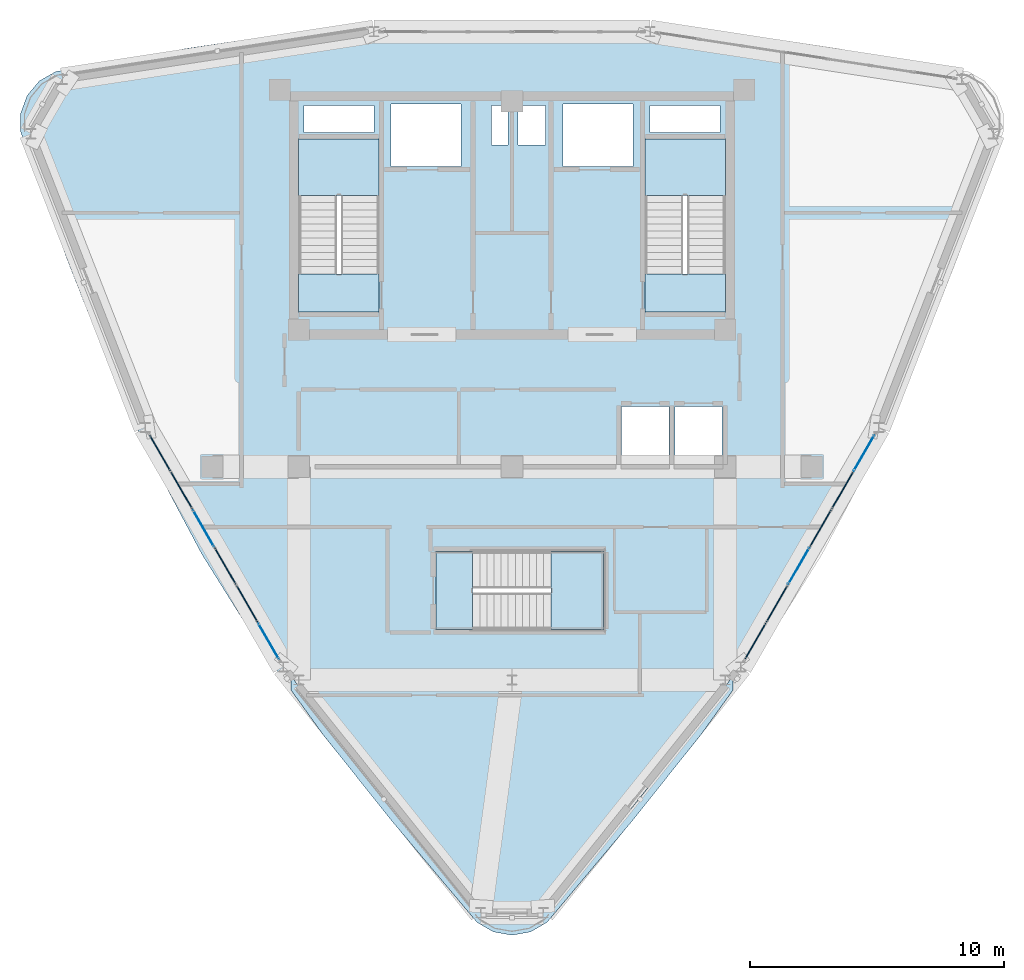
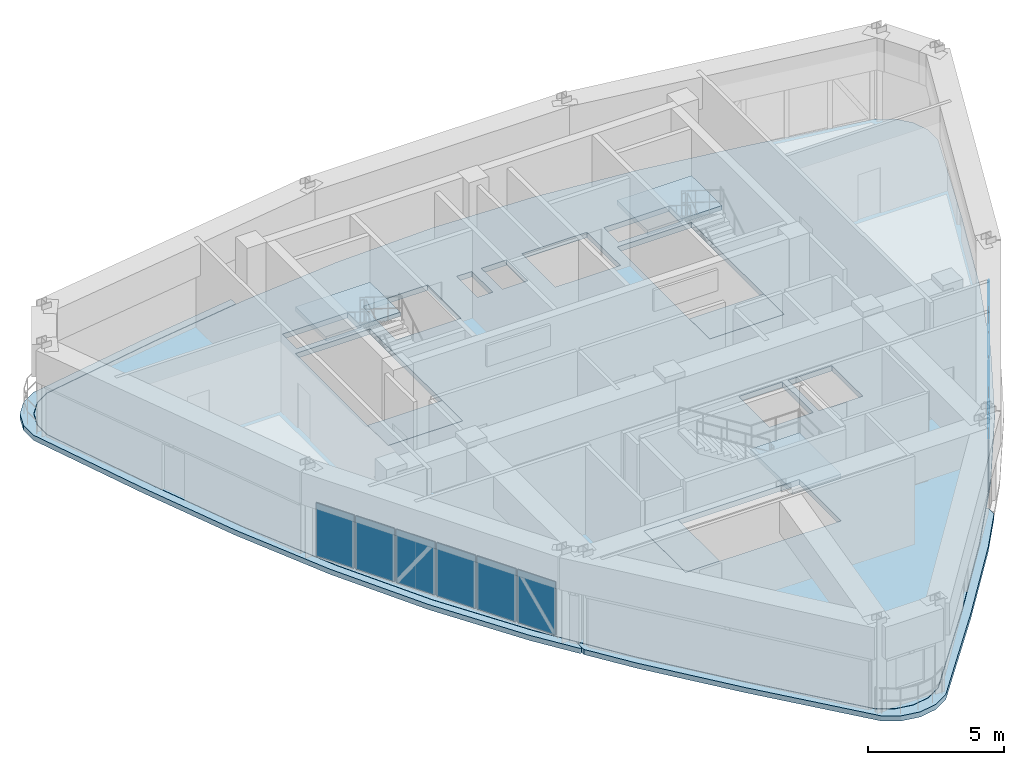
# One storey, part 11 of 16: 12 plates, 9 slabs, 5 elements without a shape of their own.
"""IFC4 building model written with IfcOpenShell, lengths in metres."""

from ifc_helpers import new_model, si_unit, derived_unit, direction, frame, origin, origin_2d, place, context, subcontext, project, spatial, polyline, rectangle, outline, extrude, source, transform, mapped, material, layer, layer_set, type_object, element, aggregate, save


model = new_model("IFC4")

# Units and contexts
model_context = context("Model", 3, precision=1e-05, world=origin(), true_north=direction((0.0, 1.0)))
body_context = subcontext(model_context, "Body", "Model", "MODEL_VIEW")
ifc_project = project(units=[si_unit("LENGTHUNIT", "METRE"), si_unit("AREAUNIT", "SQUARE_METRE"), si_unit("VOLUMEUNIT", "CUBIC_METRE"), si_unit("PLANEANGLEUNIT", "RADIAN"), si_unit("MASSUNIT", "GRAM", prefix="KILO"), derived_unit("THERMALTRANSMITTANCEUNIT", [(si_unit("POWERUNIT", "WATT"), 1), (si_unit("LENGTHUNIT", "METRE"), -2), (si_unit("THERMODYNAMICTEMPERATUREUNIT", "KELVIN"), -1)])], contexts=[model_context])

# Site, building, storey
site_placement = place(None, origin())
site = spatial("IfcSite", under=ifc_project, at=site_placement, CompositionType="ELEMENT")
building_placement = place(site_placement, origin())
building = spatial("IfcBuilding", under=site, at=building_placement, Name="Korsvarv Bourse and Concert Hall", CompositionType="ELEMENT")
storey_placement = place(building_placement, frame((0.0, 0.0, 283.800048828125)))
storey = spatial("IfcBuildingStorey", under=building, at=storey_placement, Name="L74", CompositionType="ELEMENT", Elevation=283.800048828125)

# Slabs
ifc_material_1 = material(Name="Precast concrete C45/55", Category="concrete")
ifc_layer_1 = layer(ifc_material_1, 0.199951171875)
ifc_layer_set_1 = layer_set([ifc_layer_1], Name="Precast concrete C45/55")
slab_type_1 = type_object("IfcSlabType", Name="SLB-FLND-T", PredefinedType="LANDING", material=ifc_layer_set_1)
slab_1_placement = place(storey_placement, frame((0.0, 0.0, -0.199951171875)))
element("IfcSlab", 1, at=slab_1_placement, inside=storey, type_object=slab_type_1, Name="L74 Stair ST-T1 Floor Landing Slab", PredefinedType="LANDING", context=body_context, shape_type="SweptSolid", body=[
    extrude(outline(polyline([(30.760009765625, 38.5), (30.760009765625, 40.0), (27.60009765625, 40.0), (27.60009765625, 38.5), (30.760009765625, 38.5)])), origin(), (0.0, 0.0, 1.0), 0.199951171875),
])
slab_2_placement = place(storey_placement, frame((0.0, 0.0, -0.199951171875)))
element("IfcSlab", 2, at=slab_2_placement, inside=storey, type_object=slab_type_1, Name="L74 Stair ST-T2 Floor Landing Slab", PredefinedType="LANDING", context=body_context, shape_type="SweptSolid", body=[
    extrude(outline(polyline([(44.39990234375, 38.5), (44.39990234375, 40.0), (41.239990234375, 40.0), (41.239990234375, 38.5), (44.39990234375, 38.5)])), origin(), (0.0, 0.0, 1.0), 0.199951171875),
])
slab_3_placement = place(storey_placement, frame((0.0, 0.0, -0.199951171875)))
element("IfcSlab", 3, at=slab_3_placement, inside=storey, type_object=slab_type_1, Name="L74 Stair ST-LK1 Floor Landing Slab", PredefinedType="LANDING", context=body_context, shape_type="SweptSolid", body=[
    extrude(outline(polyline([(33.0, 26.0), (34.449951171875, 26.0), (34.449951171875, 29.06005859375), (33.0, 29.06005859375), (33.0, 26.0)])), origin(), (0.0, 0.0, 1.0), 0.199951171875),
])
ifc_material_2 = material(Name="Concrete C45/55", Category="concrete")
ifc_layer_2 = layer(ifc_material_2, 0.239990234375)
ifc_layer_set_2 = layer_set([ifc_layer_2], Name="Concrete C45/55")
slab_type_2 = type_object("IfcSlabType", Name="SLB-LKT", PredefinedType="FLOOR", material=ifc_layer_set_2)
slab_4_placement = place(storey_placement, frame((0.0, 0.0, -0.239990234375)))
element("IfcSlab", 4, at=slab_4_placement, inside=storey, type_object=slab_type_2, Name="L74 tower structural floor slab", PredefinedType="FLOOR", context=body_context, shape_type="SweptSolid", body=[
    extrude(outline(polyline([(54.593505859375, 44.549560546875), (53.136962890625, 40.538330078125), (51.590087890625, 36.603759765625), (49.869873046875, 32.7890625), (47.919677734375, 29.1181640625), (45.7158203125, 25.59375), (43.272216796875, 22.19677734375), (40.63818359375, 18.889892578125), (37.89208984375, 15.622314453125), (37.330322265625, 14.952880859375), (36.7080078125, 14.593505859375), (36.0, 14.468505859375), (35.2919921875, 14.593505859375), (34.669677734375, 14.952880859375), (34.107421875, 15.622802734375), (31.36181640625, 18.889892578125), (28.727783203125, 22.19677734375), (26.2841796875, 25.59375), (24.080322265625, 29.1181640625), (22.130126953125, 32.7890625), (20.409912109375, 36.603759765625), (18.863037109375, 40.538330078125), (17.40625, 44.55029296875), (17.107421875, 45.37158203125), (17.107421875, 46.09033203125), (17.353271484375, 46.765625), (17.815185546875, 47.31640625), (18.437744140625, 47.67578125), (19.299072265625, 47.82763671875), (23.501220703125, 48.57177734375), (27.68212890625, 49.199462890625), (31.845947265625, 49.6171875), (36.0, 49.763671875), (40.154052734375, 49.6171875), (44.31787109375, 49.199462890625), (48.498779296875, 48.57177734375), (52.70166015625, 47.827392578125), (53.562255859375, 47.67578125), (54.184814453125, 47.31640625), (54.646728515625, 46.765625), (54.892578125, 46.09033203125), (54.892578125, 45.37158203125), (54.593505859375, 44.549560546875)]), holes=[polyline([(30.760009765625, 38.5), (30.760009765625, 45.300048828125), (27.60009765625, 45.300048828125), (27.60009765625, 38.5), (30.760009765625, 38.5)]), polyline([(44.39990234375, 38.5), (44.39990234375, 45.300048828125), (41.239990234375, 45.300048828125), (41.239990234375, 38.5), (44.39990234375, 38.5)]), polyline([(33.0, 26.0), (39.60009765625, 26.0), (39.60009765625, 29.06005859375), (33.0, 29.06005859375), (33.0, 26.0)]), polyline([(31.239990234375, 44.219970703125), (34.0, 44.219970703125), (34.0, 46.679931640625), (31.239990234375, 46.679931640625), (31.239990234375, 44.219970703125)]), polyline([(38.0, 44.219970703125), (40.760009765625, 44.219970703125), (40.760009765625, 46.679931640625), (38.0, 46.679931640625), (38.0, 44.219970703125)]), polyline([(40.320068359375, 32.52001953125), (42.179931640625, 32.52001953125), (42.179931640625, 34.780029296875), (40.320068359375, 34.780029296875), (40.320068359375, 32.52001953125)]), polyline([(42.419921875, 32.52001953125), (44.280029296875, 32.52001953125), (44.280029296875, 34.780029296875), (42.419921875, 34.780029296875), (42.419921875, 32.52001953125)]), polyline([(27.800048828125, 45.56005859375), (30.56005859375, 45.56005859375), (30.56005859375, 46.6201171875), (27.800048828125, 46.6201171875), (27.800048828125, 45.56005859375)]), polyline([(41.43994140625, 45.56005859375), (44.199951171875, 45.56005859375), (44.199951171875, 46.6201171875), (41.43994140625, 46.6201171875), (41.43994140625, 45.56005859375)]), polyline([(35.199951171875, 45.080078125), (35.840087890625, 45.080078125), (35.840087890625, 46.6201171875), (35.199951171875, 46.6201171875), (35.199951171875, 45.080078125)]), polyline([(36.239990234375, 45.080078125), (37.320068359375, 45.080078125), (37.320068359375, 46.6201171875), (36.239990234375, 46.6201171875), (36.239990234375, 45.080078125)])]), origin(), (0.0, 0.0, 1.0), 0.239990234375),
])
ifc_layer_3 = layer(ifc_material_2, 0.22998046875)
ifc_layer_set_3 = layer_set([ifc_layer_3], Name="Concrete C45/55")
slab_type_3 = type_object("IfcSlabType", Name="SLB-SKY", PredefinedType="FLOOR", material=ifc_layer_set_3)
slab_5_placement = place(storey_placement, frame((0.0, 0.0, -0.22998046875)))
element("IfcSlab", 5, at=slab_5_placement, inside=storey, type_object=slab_type_3, Name="L74 Crescent Sky Garden Terrace 1", PredefinedType="FLOOR", context=body_context, shape_type="SweptSolid", body=[
    extrude(outline(polyline([(17.097900390625, 45.367919921875), (17.09814453125, 45.367431640625), (17.39697265625, 44.546875), (18.853515625, 40.53515625), (18.853759765625, 40.534912109375), (18.85400390625, 40.534423828125), (20.400390625, 36.600341796875), (20.400634765625, 36.60009765625), (20.401123046875, 36.59912109375), (22.120849609375, 32.785400390625), (22.12109375, 32.78466796875), (22.12158203125, 32.783935546875), (24.0712890625, 29.114013671875), (24.07177734375, 29.11328125), (24.072265625, 29.1123046875), (26.275390625, 25.5888671875), (26.27587890625, 25.58837890625), (26.2763671875, 25.587646484375), (27.288818359375, 24.180419921875), (27.2919921875, 24.175048828125), (27.294921875, 24.16943359375), (27.297119140625, 24.163818359375), (27.298583984375, 24.15771484375), (27.2998046875, 24.151611328125), (27.300048828125, 24.145263671875), (27.300048828125, 23.78125), (27.2998046875, 23.775390625), (27.298828125, 23.76953125), (27.297607421875, 23.763916015625), (27.295654296875, 23.758544921875), (27.293212890625, 23.753173828125), (27.290283203125, 23.748291015625), (27.28662109375, 23.743408203125), (27.282958984375, 23.7392578125), (27.278564453125, 23.735107421875), (27.27392578125, 23.731689453125), (27.26904296875, 23.728759765625), (27.263916015625, 23.72607421875), (27.25830078125, 23.72412109375), (27.252685546875, 23.722412109375), (27.2470703125, 23.7216796875), (27.2412109375, 23.72119140625), (27.235595703125, 23.72119140625), (27.229736328125, 23.721923828125), (27.22412109375, 23.723388671875), (27.218505859375, 23.72509765625), (27.213134765625, 23.7275390625), (27.2080078125, 23.730224609375), (27.203369140625, 23.733642578125), (27.198974609375, 23.7373046875), (27.19482421875, 23.74169921875), (27.19140625, 23.74609375), (26.044189453125, 25.3408203125), (26.0419921875, 25.343994140625), (23.788818359375, 28.947509765625), (23.786865234375, 28.951171875), (21.792724609375, 32.7041015625), (21.791015625, 32.707763671875), (20.031982421875, 36.6083984375), (20.031005859375, 36.611083984375), (18.448974609375, 40.635009765625), (18.448486328125, 40.636474609375), (16.9580078125, 44.74072265625), (16.65478515625, 45.57421875), (16.653076171875, 45.579345703125), (16.652099609375, 45.58447265625), (16.6513671875, 45.589599609375), (16.651123046875, 45.5947265625), (16.651123046875, 46.316162109375), (16.6513671875, 46.3212890625), (16.652099609375, 46.326416015625), (16.653076171875, 46.331787109375), (16.65478515625, 46.336669921875), (16.901611328125, 47.014404296875), (16.903564453125, 47.019287109375), (16.906005859375, 47.02392578125), (16.90869140625, 47.0283203125), (16.911865234375, 47.032470703125), (17.37548828125, 47.585205078125), (17.379150390625, 47.589111328125), (17.383056640625, 47.592529296875), (17.38720703125, 47.595703125), (17.3916015625, 47.5986328125), (18.01611328125, 47.959228515625), (18.02099609375, 47.961669921875), (18.025634765625, 47.963623046875), (18.03076171875, 47.965087890625), (18.035888671875, 47.96630859375), (18.91015625, 48.12060546875), (23.208740234375, 48.8818359375), (23.21044921875, 48.882080078125), (27.231201171875, 49.485595703125), (27.23681640625, 49.486328125), (27.242431640625, 49.486328125), (27.248291015625, 49.48583984375), (27.25390625, 49.484619140625), (27.259521484375, 49.483154296875), (27.2646484375, 49.48095703125), (27.269775390625, 49.478515625), (27.274658203125, 49.475341796875), (27.279296875, 49.4716796875), (27.283203125, 49.468017578125), (27.287109375, 49.463623046875), (27.290283203125, 49.458984375), (27.293212890625, 49.453857421875), (27.295654296875, 49.44873046875), (27.297607421875, 49.443359375), (27.298828125, 49.437744140625), (27.2998046875, 49.43212890625), (27.300048828125, 49.426513671875), (27.300048828125, 49.203857421875), (27.2998046875, 49.197998046875), (27.298828125, 49.19189453125), (27.297119140625, 49.185791015625), (27.295166015625, 49.18017578125), (27.29248046875, 49.1748046875), (27.289306640625, 49.169677734375), (27.285400390625, 49.164794921875), (27.28125, 49.160400390625), (27.276611328125, 49.156494140625), (27.271484375, 49.153076171875), (27.266357421875, 49.14990234375), (27.2607421875, 49.147705078125), (27.2548828125, 49.145751953125), (27.248779296875, 49.14453125), (23.5, 48.581787109375), (23.499755859375, 48.581787109375), (23.499267578125, 48.58154296875), (19.29736328125, 47.83740234375), (18.436767578125, 47.685791015625), (18.43603515625, 47.685546875), (18.434814453125, 47.685302734375), (18.433837890625, 47.684814453125), (18.4326171875, 47.684326171875), (18.43212890625, 47.68408203125), (17.810791015625, 47.3251953125), (17.810302734375, 47.324951171875), (17.80908203125, 47.32421875), (17.80859375, 47.323486328125), (17.8076171875, 47.32275390625), (17.80712890625, 47.322265625), (17.345947265625, 46.772705078125), (17.345703125, 46.772216796875), (17.344970703125, 46.77099609375), (17.344482421875, 46.770263671875), (17.34375, 46.76904296875), (17.343505859375, 46.7685546875), (17.09814453125, 46.094482421875), (17.097900390625, 46.09375), (17.09765625, 46.092529296875), (17.097412109375, 46.091552734375), (17.097412109375, 46.090087890625), (17.097412109375, 46.089599609375), (17.097412109375, 45.3720703125), (17.097412109375, 45.37158203125), (17.097412109375, 45.3701171875), (17.09765625, 45.369384765625), (17.097900390625, 45.367919921875)])), origin(), (0.0, 0.0, 1.0), 0.22998046875),
])
slab_6_placement = place(storey_placement, frame((0.0, 0.0, -0.22998046875)))
element("IfcSlab", 6, at=slab_6_placement, inside=storey, type_object=slab_type_3, Name="L74 Crescent Sky Garden Terrace 3", PredefinedType="FLOOR", context=body_context, shape_type="SweptSolid", body=[
    extrude(outline(polyline([(34.66357421875, 14.94482421875), (34.664794921875, 14.944091796875), (34.665283203125, 14.94384765625), (35.28662109375, 14.585205078125), (35.287109375, 14.584716796875), (35.288330078125, 14.584228515625), (35.2890625, 14.583984375), (35.29052734375, 14.58349609375), (35.291015625, 14.58349609375), (35.99755859375, 14.458740234375), (35.998291015625, 14.458740234375), (35.99951171875, 14.45849609375), (36.00048828125, 14.45849609375), (36.001708984375, 14.458740234375), (36.00244140625, 14.458740234375), (36.708984375, 14.58349609375), (36.70947265625, 14.58349609375), (36.7109375, 14.583984375), (36.711669921875, 14.584228515625), (36.712890625, 14.584716796875), (36.71337890625, 14.585205078125), (37.334716796875, 14.94384765625), (37.335205078125, 14.944091796875), (37.33642578125, 14.94482421875), (37.3369140625, 14.945556640625), (37.337890625, 14.9462890625), (37.33837890625, 14.947021484375), (37.899658203125, 15.61572265625), (40.645751953125, 18.88330078125), (40.64599609375, 18.883544921875), (40.64599609375, 18.8837890625), (43.27978515625, 22.190185546875), (43.280029296875, 22.1904296875), (43.280517578125, 22.191162109375), (44.59130859375, 24.013427734375), (44.594970703125, 24.01806640625), (44.598876953125, 24.022216796875), (44.603515625, 24.02587890625), (44.608154296875, 24.029296875), (44.61328125, 24.031982421875), (44.618408203125, 24.034423828125), (44.6240234375, 24.036376953125), (44.629638671875, 24.03759765625), (44.635498046875, 24.038330078125), (44.641357421875, 24.038330078125), (44.647216796875, 24.0380859375), (44.65283203125, 24.037109375), (44.658447265625, 24.035400390625), (44.663818359375, 24.033447265625), (44.669189453125, 24.031005859375), (44.674072265625, 24.02783203125), (44.6787109375, 24.0244140625), (44.682861328125, 24.0205078125), (44.686767578125, 24.01611328125), (44.690185546875, 24.011474609375), (44.693115234375, 24.00634765625), (44.695556640625, 24.001220703125), (44.697509765625, 23.99560546875), (44.698974609375, 23.989990234375), (44.69970703125, 23.984130859375), (44.699951171875, 23.978515625), (44.699951171875, 23.6142578125), (44.69970703125, 23.608154296875), (44.69873046875, 23.60205078125), (44.697021484375, 23.595947265625), (44.69482421875, 23.590087890625), (44.692138671875, 23.58447265625), (44.688720703125, 23.579345703125), (43.45703125, 21.8671875), (43.455322265625, 21.86474609375), (40.761474609375, 18.48291015625), (40.760498046875, 18.481689453125), (37.951416015625, 15.138916015625), (37.381103515625, 14.45947265625), (37.377685546875, 14.45556640625), (37.373779296875, 14.451904296875), (37.36962890625, 14.44873046875), (37.364990234375, 14.446044921875), (36.740478515625, 14.085205078125), (36.73583984375, 14.0830078125), (36.73095703125, 14.080810546875), (36.72607421875, 14.079345703125), (36.720947265625, 14.078125), (36.010498046875, 13.952880859375), (36.005126953125, 13.952392578125), (36.0, 13.951904296875), (35.994873046875, 13.952392578125), (35.989501953125, 13.952880859375), (35.279052734375, 14.078125), (35.27392578125, 14.079345703125), (35.26904296875, 14.080810546875), (35.26416015625, 14.0830078125), (35.259521484375, 14.085205078125), (34.635009765625, 14.446044921875), (34.63037109375, 14.44873046875), (34.626220703125, 14.451904296875), (34.622314453125, 14.45556640625), (34.618896484375, 14.45947265625), (34.04833984375, 15.139404296875), (31.239501953125, 18.481689453125), (31.238525390625, 18.48291015625), (28.544677734375, 21.86474609375), (28.54296875, 21.8671875), (27.311279296875, 23.579345703125), (27.307861328125, 23.58447265625), (27.30517578125, 23.590087890625), (27.302978515625, 23.595947265625), (27.30126953125, 23.60205078125), (27.30029296875, 23.608154296875), (27.300048828125, 23.6142578125), (27.300048828125, 23.978515625), (27.30029296875, 23.984130859375), (27.301025390625, 23.989990234375), (27.302490234375, 23.99560546875), (27.304443359375, 24.001220703125), (27.306884765625, 24.00634765625), (27.309814453125, 24.011474609375), (27.313232421875, 24.01611328125), (27.317138671875, 24.0205078125), (27.3212890625, 24.0244140625), (27.325927734375, 24.02783203125), (27.330810546875, 24.031005859375), (27.336181640625, 24.033447265625), (27.341552734375, 24.035400390625), (27.34716796875, 24.037109375), (27.352783203125, 24.0380859375), (27.358642578125, 24.038330078125), (27.364501953125, 24.038330078125), (27.370361328125, 24.03759765625), (27.3759765625, 24.036376953125), (27.381591796875, 24.034423828125), (27.38671875, 24.031982421875), (27.391845703125, 24.029296875), (27.396484375, 24.02587890625), (27.401123046875, 24.022216796875), (27.405029296875, 24.01806640625), (27.40869140625, 24.013427734375), (28.719482421875, 22.191162109375), (28.7197265625, 22.19091796875), (28.72021484375, 22.190185546875), (31.35400390625, 18.8837890625), (31.35400390625, 18.883544921875), (31.354248046875, 18.88330078125), (34.099853515625, 15.6162109375), (34.66162109375, 14.947021484375), (34.662109375, 14.9462890625), (34.6630859375, 14.945556640625), (34.66357421875, 14.94482421875)])), origin(), (0.0, 0.0, 1.0), 0.22998046875),
])

# Stair, slab
stair_type_1 = type_object("IfcStairType", Name="STR-TYPE-05", PredefinedType="HALF_TURN_STAIR", material=ifc_material_1)
stair_1_placement = place(storey_placement, origin())
stair_1 = element("IfcStair", 7, at=stair_1_placement, inside=storey, type_object=stair_type_1, Name="L74 Tower West Exit Stair ST-T1", PredefinedType="HALF_TURN_STAIR")
ifc_layer_4 = layer(ifc_material_1, 0.199951171875)
ifc_layer_set_4 = layer_set([ifc_layer_4], Name="Precast concrete C45/55")
slab_type_4 = type_object("IfcSlabType", Name="SLB-ST-LND", PredefinedType="LANDING", material=ifc_layer_set_4)
slab_7_placement = place(storey_placement, frame((0.0, 0.0, 1.89990234375)))
slab_7 = element("IfcSlab", 8, at=slab_7_placement, type_object=slab_type_4, Name="ST-T1 landing 1", PredefinedType="LANDING", context=body_context, shape_type="SweptSolid", body=[
    extrude(outline(polyline([(30.760009765625, 43.080078125), (30.760009765625, 45.300048828125), (27.60009765625, 45.300048828125), (27.60009765625, 43.080078125), (30.760009765625, 43.080078125)])), origin(), (0.0, 0.0, 1.0), 0.199951171875),
])
aggregate(stair_1, [slab_7])

stair_2_placement = place(storey_placement, origin())
stair_2 = element("IfcStair", 9, at=stair_2_placement, inside=storey, type_object=stair_type_1, Name="L74 Tower East Exit Stair ST-T2", PredefinedType="HALF_TURN_STAIR")
slab_8_placement = place(storey_placement, frame((0.0, 0.0, 1.89990234375)))
slab_8 = element("IfcSlab", 10, at=slab_8_placement, type_object=slab_type_4, Name="ST-T2 landing 1", PredefinedType="LANDING", context=body_context, shape_type="SweptSolid", body=[
    extrude(outline(polyline([(44.39990234375, 43.080078125), (44.39990234375, 45.300048828125), (41.239990234375, 45.300048828125), (41.239990234375, 43.080078125), (44.39990234375, 43.080078125)])), origin(), (0.0, 0.0, 1.0), 0.199951171875),
])
aggregate(stair_2, [slab_8])

stair_type_2 = type_object("IfcStairType", Name="STR-TYPE-08", PredefinedType="HALF_TURN_STAIR", material=ifc_material_1)
stair_3_placement = place(storey_placement, origin())
stair_3 = element("IfcStair", 11, at=stair_3_placement, inside=storey, type_object=stair_type_2, Name="L74 Public Lookout Feature Stair ST-LK1", PredefinedType="HALF_TURN_STAIR")
slab_9_placement = place(storey_placement, frame((0.0, 0.0, 1.89990234375)))
slab_9 = element("IfcSlab", 12, at=slab_9_placement, type_object=slab_type_4, Name="ST-LK1 landing 1", PredefinedType="LANDING", context=body_context, shape_type="SweptSolid", body=[
    extrude(outline(polyline([(37.530029296875, 26.0), (39.60009765625, 26.0), (39.60009765625, 29.06005859375), (37.530029296875, 29.06005859375), (37.530029296875, 26.0)])), origin(), (0.0, 0.0, 1.0), 0.199951171875),
])
aggregate(stair_3, [slab_9])

# Curtain wall, plate
ifc_material_3 = material(Name="Anodised aluminium and triple low-E glazing", Category="glass")
ifc_layer_5 = layer(ifc_material_3, 0.18994140625)
ifc_layer_set_5 = layer_set([ifc_layer_5], Name="Anodised aluminium and triple low-E glazing")
curtain_wall_type = type_object("IfcCurtainWallType", Name="CW-SYS-4", PredefinedType="NOTDEFINED", material=ifc_layer_set_5)
curtain_wall_1_placement = place(storey_placement, origin())
curtain_wall_1 = element("IfcCurtainWall", 13, at=curtain_wall_1_placement, inside=storey, type_object=curtain_wall_type, Name="L74 CW4 curtain wall CW-L74-F07", PredefinedType="NOTDEFINED")
ifc_material_4 = material(Name="Tempered triple insulated low-E architectural glass", Category="glass")
ifc_layer_6 = layer(ifc_material_4, 0.0419921875)
ifc_layer_set_6 = layer_set([ifc_layer_6], Name="Tempered triple insulated low-E architectural glass")
plate_type_1 = type_object("IfcPlateType", Name="CWP-VIS3", PredefinedType="CURTAIN_PANEL", material=ifc_layer_set_6)
shared_shape_1 = source(origin(), body_context, "Body", "SweptSolid", [
    extrude(rectangle(XDim=1.6123046875, YDim=0.0419921875, at=origin_2d()), origin(), (0.0, 0.0, 1.0), 2.389892578125),
])
plate_1_placement = place(storey_placement, frame((22.1396484375, 32.934814453125, 0.06494140625), z_axis=(0.0, 0.0, 1.0), x_axis=(0.499996055676, -0.866027681029, 0.0)))
plate_1 = element("IfcPlate", 14, at=plate_1_placement, type_object=plate_type_1, Name="CW4 faceted panel 1.1", PredefinedType="CURTAIN_PANEL", context=body_context, shape_type="MappedRepresentation", body=[
    mapped(shared_shape_1, transform((0.0, 0.0, 0.0), scale=1.0)),
])

curtain_wall_2_placement = place(storey_placement, origin())
curtain_wall_2 = element("IfcCurtainWall", 15, at=curtain_wall_2_placement, inside=storey, type_object=curtain_wall_type, Name="L74 CW4 curtain wall CW-L74-F11", PredefinedType="NOTDEFINED")
plate_2_placement = place(storey_placement, frame((45.584716796875, 25.529296875, 0.06494140625), z_axis=(0.0, 0.0, 1.0), x_axis=(0.499996055676, 0.866027681029, 0.0)))
plate_2 = element("IfcPlate", 16, at=plate_2_placement, type_object=plate_type_1, Name="CW4 faceted panel 1.1", PredefinedType="CURTAIN_PANEL", context=body_context, shape_type="MappedRepresentation", body=[
    mapped(shared_shape_1, transform((0.0, 0.0, 0.0), scale=1.0)),
])

# Plate
shared_shape_2 = source(origin(), body_context, "Body", "SweptSolid", [
    extrude(rectangle(XDim=1.647216796875, YDim=0.0419921875, at=origin_2d()), origin(), (0.0, 0.0, 1.0), 2.389892578125),
])
plate_3_placement = place(storey_placement, frame((22.98974609375, 31.462890625, 0.06494140625), z_axis=(0.0, 0.0, 1.0), x_axis=(0.499996055676, -0.866027681029, 0.0)))
plate_3 = element("IfcPlate", 17, at=plate_3_placement, type_object=plate_type_1, Name="CW4 faceted panel 2.1", PredefinedType="CURTAIN_PANEL", context=body_context, shape_type="MappedRepresentation", body=[
    mapped(shared_shape_2, transform((0.0, 0.0, 0.0), scale=1.0)),
])

plate_4_placement = place(storey_placement, frame((24.706787109375, 28.488525390625, 0.06494140625), z_axis=(0.0, 0.0, 1.0), x_axis=(0.499996055676, -0.866027681029, 0.0)))
plate_4 = element("IfcPlate", 18, at=plate_4_placement, type_object=plate_type_1, Name="CW4 faceted panel 4.1", PredefinedType="CURTAIN_PANEL", context=body_context, shape_type="MappedRepresentation", body=[
    mapped(shared_shape_2, transform((0.0, 0.0, 0.0), scale=1.0)),
])

plate_5_placement = place(storey_placement, frame((25.5654296875, 27.001220703125, 0.06494140625), z_axis=(0.0, 0.0, 1.0), x_axis=(0.499996055676, -0.866027681029, 0.0)))
plate_5 = element("IfcPlate", 19, at=plate_5_placement, type_object=plate_type_1, Name="CW4 faceted panel 5.1", PredefinedType="CURTAIN_PANEL", context=body_context, shape_type="MappedRepresentation", body=[
    mapped(shared_shape_2, transform((0.0, 0.0, 0.0), scale=1.0)),
])

plate_6_placement = place(storey_placement, frame((46.4345703125, 27.001220703125, 0.06494140625), z_axis=(0.0, 0.0, 1.0), x_axis=(0.499996055676, 0.866027681029, 0.0)))
plate_6 = element("IfcPlate", 20, at=plate_6_placement, type_object=plate_type_1, Name="CW4 faceted panel 2.1", PredefinedType="CURTAIN_PANEL", context=body_context, shape_type="MappedRepresentation", body=[
    mapped(shared_shape_2, transform((0.0, 0.0, 0.0), scale=1.0)),
])

plate_7_placement = place(storey_placement, frame((48.15185546875, 29.9755859375, 0.06494140625), z_axis=(0.0, 0.0, 1.0), x_axis=(0.499996055676, 0.866027681029, 0.0)))
plate_7 = element("IfcPlate", 21, at=plate_7_placement, type_object=plate_type_1, Name="CW4 faceted panel 4.1", PredefinedType="CURTAIN_PANEL", context=body_context, shape_type="MappedRepresentation", body=[
    mapped(shared_shape_2, transform((0.0, 0.0, 0.0), scale=1.0)),
])

plate_8_placement = place(storey_placement, frame((49.01025390625, 31.462890625, 0.06494140625), z_axis=(0.0, 0.0, 1.0), x_axis=(0.499996055676, 0.866027681029, 0.0)))
plate_8 = element("IfcPlate", 22, at=plate_8_placement, type_object=plate_type_1, Name="CW4 faceted panel 5.1", PredefinedType="CURTAIN_PANEL", context=body_context, shape_type="MappedRepresentation", body=[
    mapped(shared_shape_2, transform((0.0, 0.0, 0.0), scale=1.0)),
])

ifc_material_5 = material(Name="Insulated spandrel glass", Category="glass")
ifc_layer_7 = layer(ifc_material_5, 0.031982421875)
ifc_layer_set_7 = layer_set([ifc_layer_7], Name="Insulated spandrel glass")
plate_type_2 = type_object("IfcPlateType", Name="CWP-SPD1", PredefinedType="CURTAIN_PANEL", material=ifc_layer_set_7)
shared_shape_3 = source(origin(), body_context, "Body", "SweptSolid", [
    extrude(rectangle(XDim=1.647216796875, YDim=0.031982421875, at=origin_2d()), origin(), (0.0, 0.0, 1.0), 2.389892578125),
])
plate_9_placement = place(storey_placement, frame((23.84814453125, 29.9755859375, 0.06494140625), z_axis=(0.0, 0.0, 1.0), x_axis=(0.499996055676, -0.866027681029, 0.0)))
plate_9 = element("IfcPlate", 23, at=plate_9_placement, type_object=plate_type_2, Name="CW4 spandrel shadow-box panel 3.1", PredefinedType="CURTAIN_PANEL", context=body_context, shape_type="MappedRepresentation", body=[
    mapped(shared_shape_3, transform((0.0, 0.0, 0.0), scale=1.0)),
])

plate_10_placement = place(storey_placement, frame((47.293212890625, 28.488525390625, 0.06494140625), z_axis=(0.0, 0.0, 1.0), x_axis=(0.499996055676, 0.866027681029, 0.0)))
plate_10 = element("IfcPlate", 24, at=plate_10_placement, type_object=plate_type_2, Name="CW4 spandrel shadow-box panel 3.1", PredefinedType="CURTAIN_PANEL", context=body_context, shape_type="MappedRepresentation", body=[
    mapped(shared_shape_3, transform((0.0, 0.0, 0.0), scale=1.0)),
])

shared_shape_4 = source(origin(), body_context, "Body", "SweptSolid", [
    extrude(rectangle(XDim=1.6123046875, YDim=0.031982421875, at=origin_2d()), origin(), (0.0, 0.0, 1.0), 2.389892578125),
])
plate_11_placement = place(storey_placement, frame((26.415283203125, 25.529296875, 0.06494140625), z_axis=(0.0, 0.0, 1.0), x_axis=(0.499996055676, -0.866027681029, 0.0)))
plate_11 = element("IfcPlate", 25, at=plate_11_placement, type_object=plate_type_2, Name="CW4 spandrel shadow-box panel 6.1", PredefinedType="CURTAIN_PANEL", context=body_context, shape_type="MappedRepresentation", body=[
    mapped(shared_shape_4, transform((0.0, 0.0, 0.0), scale=1.0)),
])

aggregate(curtain_wall_1, [plate_1, plate_3, plate_9, plate_4, plate_5, plate_11])

plate_12_placement = place(storey_placement, frame((49.8603515625, 32.934814453125, 0.06494140625), z_axis=(0.0, 0.0, 1.0), x_axis=(0.499996055676, 0.866027681029, 0.0)))
plate_12 = element("IfcPlate", 26, at=plate_12_placement, type_object=plate_type_2, Name="CW4 spandrel shadow-box panel 6.1", PredefinedType="CURTAIN_PANEL", context=body_context, shape_type="MappedRepresentation", body=[
    mapped(shared_shape_4, transform((0.0, 0.0, 0.0), scale=1.0)),
])

aggregate(curtain_wall_2, [plate_2, plate_6, plate_10, plate_7, plate_8, plate_12])

save(model, "model.ifc")
